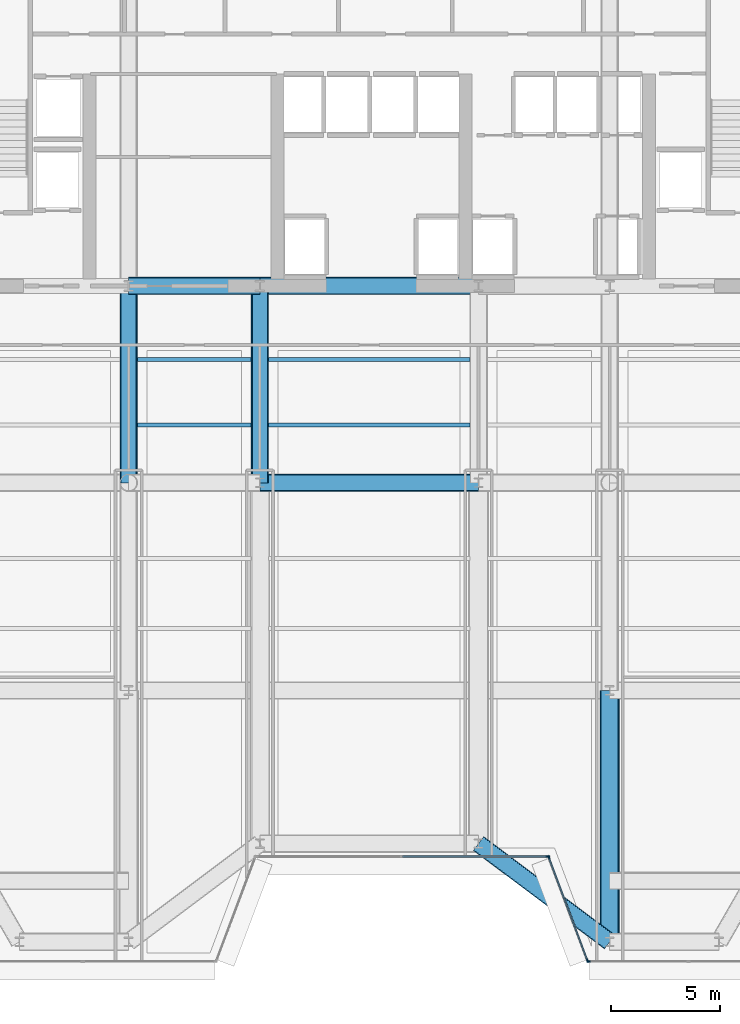
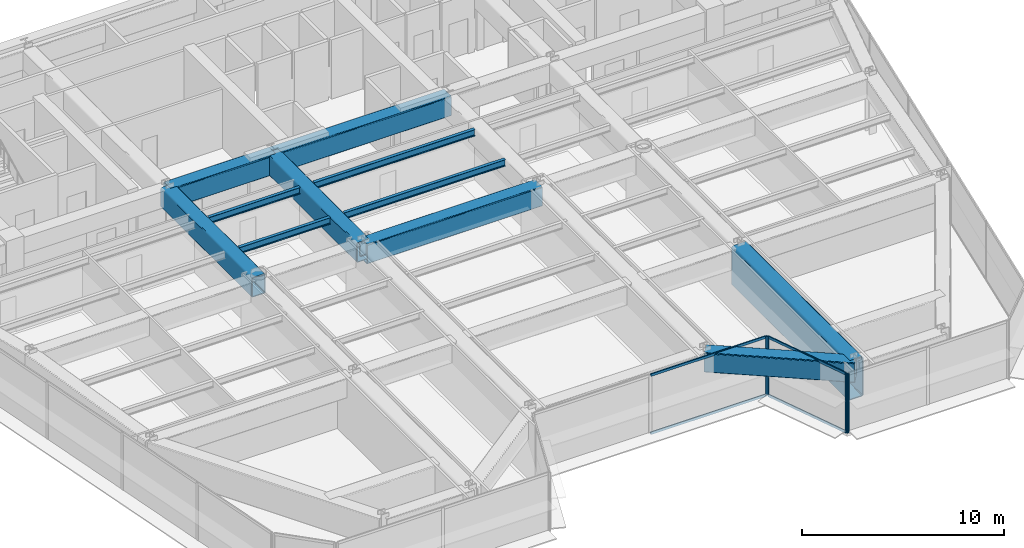
# One storey, part 5 of 16: 11 beams, 8 members, 3 elements without a shape of their own.
"""IFC4 building model written with IfcOpenShell, lengths in metres."""

from ifc_helpers import new_model, si_unit, direction, frame, origin, origin_2d, place, context, subcontext, project, spatial, rectangle, hollow_rectangle, i_section, extrude, source, transform, mapped, material, layer, layer_set, material_profile, profile_set, type_object, element, aggregate, save


model = new_model("IFC4")

# Units and contexts
model_context = context("Model", 3, precision=1e-05, world=origin(), true_north=direction((0.0, 1.0)))
body_context = subcontext(model_context, "Body", "Model", "MODEL_VIEW")
ifc_project = project(units=[si_unit("LENGTHUNIT", "METRE"), si_unit("AREAUNIT", "SQUARE_METRE"), si_unit("VOLUMEUNIT", "CUBIC_METRE"), si_unit("PLANEANGLEUNIT", "RADIAN"), si_unit("MASSUNIT", "GRAM", prefix="KILO")], contexts=[model_context])

# Site, building, storey
site_placement = place(None, origin())
site = spatial("IfcSite", under=ifc_project, at=site_placement, CompositionType="ELEMENT")
building_placement = place(site_placement, origin())
building = spatial("IfcBuilding", under=site, at=building_placement, Name="Vaeldorn Concourse Tower", CompositionType="ELEMENT")
storey_placement = place(building_placement, frame((0.0, 0.0, 203.199951171875)))
storey = spatial("IfcBuildingStorey", under=building, at=storey_placement, Name="L52", CompositionType="ELEMENT", Elevation=203.199951171875)

# Beams
ifc_material_1 = material(Name="Steel S460", Category="steel")
ifc_material_profile_1 = material_profile(ifc_material_1, hollow_rectangle(XDim=0.800048828125, YDim=1.199951171875, WallThickness=0.044921875, InnerFilletRadius=0.044921875, OuterFilletRadius=0.090087890625, at=origin_2d()), Name="RHS 1200x800x45")
ifc_profile_set_1 = profile_set([ifc_material_profile_1], Name="Steel S460")
beam_type_1 = type_object("IfcBeamType", Name="BM-TG-RHS1200", PredefinedType="BEAM", material=ifc_profile_set_1)
shared_shape_1 = source(origin(), body_context, "Body", "SweptSolid", [
    extrude(hollow_rectangle(XDim=0.800048828125, YDim=1.199951171875, WallThickness=0.044921875, InnerFilletRadius=0.044921875, OuterFilletRadius=0.090087890625, at=origin_2d()), origin(), (0.0, 0.0, 1.0), 6.0),
])
beam_1_placement = place(storey_placement, frame((23.0, 36.5, 2.97998046875), z_axis=(1.0, 0.0, 0.0), x_axis=(0.0, 1.0, 0.0)))
element("IfcBeam", 1, at=beam_1_placement, inside=storey, type_object=beam_type_1, Name="Beam BM-L52-C-FC2-C-FC3", PredefinedType="BEAM", context=body_context, shape_type="MappedRepresentation", body=[
    mapped(shared_shape_1, transform((0.0, 0.0, 0.0), scale=1.0)),
])
shared_shape_2 = source(origin(), body_context, "Body", "SweptSolid", [
    extrude(hollow_rectangle(XDim=0.800048828125, YDim=1.199951171875, WallThickness=0.044921875, InnerFilletRadius=0.044921875, OuterFilletRadius=0.090087890625, at=origin_2d()), origin(), (0.0, 0.0, 1.0), 10.0),
])
for number, where, z_axis, x_axis, name in (
    (2, (29.0, 36.5, 2.97998046875), (1.0, 0.0, 0.0), (0.0, 1.0, 0.0), "Beam BM-L52-C-FC3-C-FC4"),
    (3, (29.0, 27.5, 2.97998046875), (1.0, 0.0, 0.0), (0.0, 1.0, 0.0), "Beam BM-L52-C-TW2-C-TW3"),
):
    element("IfcBeam", number, at=place(storey_placement, frame(where, z_axis=z_axis, x_axis=x_axis)), inside=storey, type_object=beam_type_1, Name=name, PredefinedType="BEAM", context=body_context, shape_type="MappedRepresentation", body=[
        mapped(shared_shape_2, transform((0.0, 0.0, 0.0), scale=1.0)),
    ])
shared_shape_3 = source(origin(), body_context, "Body", "SweptSolid", [
    extrude(hollow_rectangle(XDim=0.800048828125, YDim=1.199951171875, WallThickness=0.044921875, InnerFilletRadius=0.044921875, OuterFilletRadius=0.090087890625, at=origin_2d()), origin(), (0.0, 0.0, 1.0), 9.0),
])
for number, where, z_axis, x_axis, name in (
    (4, (23.0, 27.5, 2.97998046875), (0.0, 1.0, 0.0), (-1.0, 0.0, 0.0), "Beam BM-L52-C-TW1-C-FC2"),
    (5, (29.0, 27.5, 2.97998046875), (0.0, 1.0, 0.0), (-1.0, 0.0, 0.0), "Beam BM-L52-C-TW2-C-FC3"),
):
    element("IfcBeam", number, at=place(storey_placement, frame(where, z_axis=z_axis, x_axis=x_axis)), inside=storey, type_object=beam_type_1, Name=name, PredefinedType="BEAM", context=body_context, shape_type="MappedRepresentation", body=[
        mapped(shared_shape_3, transform((0.0, 0.0, 0.0), scale=1.0)),
    ])
shared_shape_4 = source(origin(), body_context, "Body", "SweptSolid", [
    extrude(hollow_rectangle(XDim=0.800048828125, YDim=1.199951171875, WallThickness=0.044921875, InnerFilletRadius=0.044921875, OuterFilletRadius=0.090087890625, at=origin_2d()), origin(), (0.0, 0.0, 1.0), 7.5),
])
beam_2_placement = place(storey_placement, frame((39.0, 11.0, 2.97998046875), z_axis=(0.8, -0.6, 0.0), x_axis=(0.6, 0.8, 0.0)))
element("IfcBeam", 6, at=beam_2_placement, inside=storey, type_object=beam_type_1, Name="Beam BM-L52-C-SF4-C-SF5", PredefinedType="BEAM", context=body_context, shape_type="MappedRepresentation", body=[
    mapped(shared_shape_4, transform((0.0, 0.0, 0.0), scale=1.0)),
])
ifc_material_profile_2 = material_profile(ifc_material_1, hollow_rectangle(XDim=0.89990234375, YDim=2.39990234375, WallThickness=0.06005859375, InnerFilletRadius=0.06005859375, OuterFilletRadius=0.1201171875, at=origin_2d()), Name="RHS 2400x900x60")
ifc_profile_set_2 = profile_set([ifc_material_profile_2], Name="Steel S460")
beam_type_2 = type_object("IfcBeamType", Name="BM-TG-BOX2400", PredefinedType="BEAM", material=ifc_profile_set_2)
shared_shape_5 = source(origin(), body_context, "Body", "SweptSolid", [
    extrude(hollow_rectangle(XDim=0.89990234375, YDim=2.39990234375, WallThickness=0.06005859375, InnerFilletRadius=0.06005859375, OuterFilletRadius=0.1201171875, at=origin_2d()), origin(), (0.0, 0.0, 1.0), 11.5),
])
beam_3_placement = place(storey_placement, frame((45.0, 6.5, 2.380126953125), z_axis=(0.0, 1.0, 0.0), x_axis=(-1.0, 0.0, 0.0)))
element("IfcBeam", 7, at=beam_3_placement, inside=storey, type_object=beam_type_2, Name="Beam BM-SETBACK-L52-C-SF5", PredefinedType="BEAM", context=body_context, shape_type="MappedRepresentation", body=[
    mapped(shared_shape_5, transform((0.0, 0.0, 0.0), scale=1.0)),
])
ifc_material_2 = material(Name="Steel S355", Category="steel")
ifc_material_profile_3 = material_profile(ifc_material_2, i_section(OverallWidth=0.179931640625, OverallDepth=0.39990234375, WebThickness=0.008544921875, FlangeThickness=0.013427734375, FilletRadius=0.02099609375, at=origin_2d()), Name="IPE 400")
ifc_profile_set_3 = profile_set([ifc_material_profile_3], Name="Steel S355")
beam_type_3 = type_object("IfcBeamType", Name="BM-JS-IPE400", PredefinedType="JOIST", material=ifc_profile_set_3)
shared_shape_6 = source(origin(), body_context, "Body", "SweptSolid", [
    extrude(i_section(OverallWidth=0.179931640625, OverallDepth=0.39990234375, WebThickness=0.008544921875, FlangeThickness=0.013427734375, FilletRadius=0.02099609375, at=origin_2d()), origin(), (0.0, 0.0, 1.0), 5.2001953125),
])
for number, where, z_axis, x_axis, name in (
    (8, (23.39990234375, 30.139892578125, 3.380126953125), (1.0, 0.0, 0.0), (0.0, 1.0, 0.0), "Beam JS-L52-W2-301"),
    (9, (23.39990234375, 33.139892578125, 3.380126953125), (1.0, 0.0, 0.0), (0.0, 1.0, 0.0), "Beam JS-L52-W2-331"),
):
    element("IfcBeam", number, at=place(storey_placement, frame(where, z_axis=z_axis, x_axis=x_axis)), inside=storey, type_object=beam_type_3, Name=name, PredefinedType="JOIST", context=body_context, shape_type="MappedRepresentation", body=[
        mapped(shared_shape_6, transform((0.0, 0.0, 0.0), scale=1.0)),
    ])
shared_shape_7 = source(origin(), body_context, "Body", "SweptSolid", [
    extrude(i_section(OverallWidth=0.179931640625, OverallDepth=0.39990234375, WebThickness=0.008544921875, FlangeThickness=0.013427734375, FilletRadius=0.02099609375, at=origin_2d()), origin(), (0.0, 0.0, 1.0), 9.2001953125),
])
for number, where, z_axis, x_axis, name in (
    (10, (29.39990234375, 30.139892578125, 3.380126953125), (1.0, 0.0, 0.0), (0.0, 1.0, 0.0), "Beam JS-L52-C-301"),
    (11, (29.39990234375, 33.139892578125, 3.380126953125), (1.0, 0.0, 0.0), (0.0, 1.0, 0.0), "Beam JS-L52-C-331"),
):
    element("IfcBeam", number, at=place(storey_placement, frame(where, z_axis=z_axis, x_axis=x_axis)), inside=storey, type_object=beam_type_3, Name=name, PredefinedType="JOIST", context=body_context, shape_type="MappedRepresentation", body=[
        mapped(shared_shape_7, transform((0.0, 0.0, 0.0), scale=1.0)),
    ])

# Curtain wall, members
ifc_material_3 = material(Name="Anodised Bronze Aluminium", Category="aluminium")
ifc_layer = layer(ifc_material_3, 0.18994140625)
ifc_layer_set = layer_set([ifc_layer], Name="Anodised Bronze Aluminium")
curtain_wall_type = type_object("IfcCurtainWallType", Name="CW-SYS-03", PredefinedType="NOTDEFINED", material=ifc_layer_set)
curtain_wall_1_placement = place(storey_placement, origin())
curtain_wall_1 = element("IfcCurtainWall", 12, at=curtain_wall_1_placement, inside=storey, type_object=curtain_wall_type, Name="Unitised Curtain Wall CW-L52-E04-1", PredefinedType="NOTDEFINED")
ifc_material_profile_4 = material_profile(ifc_material_3, rectangle(XDim=0.06494140625, YDim=0.14990234375, at=origin_2d()), Name="CWT 65x150")
ifc_profile_set_4 = profile_set([ifc_material_profile_4], Name="Anodised Bronze Aluminium")
member_type_1 = type_object("IfcMemberType", Name="CWT-BRONZE-150", PredefinedType="USERDEFINED", material=ifc_profile_set_4)
shared_shape_8 = source(origin(), body_context, "Body", "SweptSolid", [
    extrude(rectangle(XDim=0.06494140625, YDim=0.14990234375, at=origin_2d()), origin(), (0.0, 0.0, 1.0), 4.996337890625),
])
member_1_placement = place(storey_placement, frame((42.222900390625, 10.339111328125, 0.032470703125), z_axis=(0.351134151405, -0.936325161318, 0.0), x_axis=(0.936325161318, 0.351134151405, 0.0)))
member_1 = element("IfcMember", 13, at=member_1_placement, type_object=member_type_1, Name="CW-03 transom 1.1", ObjectType="TRANSOM", PredefinedType="USERDEFINED", context=body_context, shape_type="MappedRepresentation", body=[
    mapped(shared_shape_8, transform((0.0, 0.0, 0.0), scale=1.0)),
])
member_2_placement = place(storey_placement, frame((42.222900390625, 10.339111328125, 3.547607421875), z_axis=(0.351134151405, -0.936325161318, 0.0), x_axis=(0.936325161318, 0.351134151405, 0.0)))
member_2 = element("IfcMember", 14, at=member_2_placement, type_object=member_type_1, Name="CW-03 transom 1.2", ObjectType="TRANSOM", PredefinedType="USERDEFINED", context=body_context, shape_type="MappedRepresentation", body=[
    mapped(shared_shape_8, transform((0.0, 0.0, 0.0), scale=1.0)),
])

curtain_wall_2_placement = place(storey_placement, origin())
curtain_wall_2 = element("IfcCurtainWall", 15, at=curtain_wall_2_placement, inside=storey, type_object=curtain_wall_type, Name="Unitised Curtain Wall CW-L52-E03-1", PredefinedType="NOTDEFINED")
shared_shape_9 = source(origin(), body_context, "Body", "SweptSolid", [
    extrude(rectangle(XDim=0.06494140625, YDim=0.14990234375, at=origin_2d()), origin(), (0.0, 0.0, 1.0), 6.6025390625),
])
member_3_placement = place(storey_placement, frame((35.532470703125, 10.39990234375, 0.032470703125), z_axis=(1.0, 0.0, 0.0), x_axis=(0.0, 1.0, 0.0)))
member_3 = element("IfcMember", 16, at=member_3_placement, type_object=member_type_1, Name="CW-03 transom 2.1", ObjectType="TRANSOM", PredefinedType="USERDEFINED", context=body_context, shape_type="MappedRepresentation", body=[
    mapped(shared_shape_9, transform((0.0, 0.0, 0.0), scale=1.0)),
])
member_4_placement = place(storey_placement, frame((35.532470703125, 10.39990234375, 3.547607421875), z_axis=(1.0, 0.0, 0.0), x_axis=(0.0, 1.0, 0.0)))
member_4 = element("IfcMember", 17, at=member_4_placement, type_object=member_type_1, Name="CW-03 transom 2.2", ObjectType="TRANSOM", PredefinedType="USERDEFINED", context=body_context, shape_type="MappedRepresentation", body=[
    mapped(shared_shape_9, transform((0.0, 0.0, 0.0), scale=1.0)),
])
ifc_material_profile_5 = material_profile(ifc_material_3, rectangle(XDim=0.06494140625, YDim=0.169921875, at=origin_2d()), Name="CWM 65x170")
ifc_profile_set_5 = profile_set([ifc_material_profile_5], Name="Anodised Bronze Aluminium")
member_type_2 = type_object("IfcMemberType", Name="CWM-BRONZE-170", PredefinedType="MULLION", material=ifc_profile_set_5)
shared_shape_10 = source(origin(), body_context, "Body", "SweptSolid", [
    extrude(rectangle(XDim=0.06494140625, YDim=0.169921875, at=origin_2d()), origin(), (0.0, 0.0, 1.0), 3.580078125),
])
member_5_placement = place(storey_placement, frame((42.16748046875, 10.39990234375, 0.0), z_axis=(0.0, 0.0, 1.0), x_axis=(0.0, 1.0, 0.0)))
member_5 = element("IfcMember", 18, at=member_5_placement, type_object=member_type_2, Name="CW-03 mullion 3", PredefinedType="MULLION", context=body_context, shape_type="MappedRepresentation", body=[
    mapped(shared_shape_10, transform((0.0, 0.0, 0.0), scale=1.0)),
])
aggregate(curtain_wall_2, [member_5, member_3, member_4])

# Member
member_6_placement = place(storey_placement, frame((42.21142578125, 10.36962890625, 0.0), z_axis=(0.0, 0.0, 1.0), x_axis=(0.936329177566, 0.351123441595, 0.0)))
member_6 = element("IfcMember", 19, at=member_6_placement, type_object=member_type_2, Name="CW-03 mullion 1", PredefinedType="MULLION", context=body_context, shape_type="MappedRepresentation", body=[
    mapped(shared_shape_10, transform((0.0, 0.0, 0.0), scale=1.0)),
])

member_7_placement = place(storey_placement, frame((43.988525390625, 5.63037109375, 0.0), z_axis=(0.0, 0.0, 1.0), x_axis=(0.936329177566, 0.351123441595, 0.0)))
member_7 = element("IfcMember", 20, at=member_7_placement, type_object=member_type_2, Name="CW-03 mullion 2", PredefinedType="MULLION", context=body_context, shape_type="MappedRepresentation", body=[
    mapped(shared_shape_10, transform((0.0, 0.0, 0.0), scale=1.0)),
])

aggregate(curtain_wall_1, [member_6, member_7, member_1, member_2])

# Curtain wall, member
curtain_wall_3_placement = place(storey_placement, origin())
curtain_wall_3 = element("IfcCurtainWall", 21, at=curtain_wall_3_placement, inside=storey, type_object=curtain_wall_type, Name="Unitised Curtain Wall CW-L52-E05-1", PredefinedType="NOTDEFINED")
member_8_placement = place(storey_placement, frame((44.032470703125, 5.60009765625, 0.0), z_axis=(0.0, 0.0, 1.0), x_axis=(0.0, 1.0, 0.0)))
member_8 = element("IfcMember", 22, at=member_8_placement, type_object=member_type_2, Name="CW-03 mullion 1", PredefinedType="MULLION", context=body_context, shape_type="MappedRepresentation", body=[
    mapped(shared_shape_10, transform((0.0, 0.0, 0.0), scale=1.0)),
])
aggregate(curtain_wall_3, [member_8])

save(model, "model.ifc")
